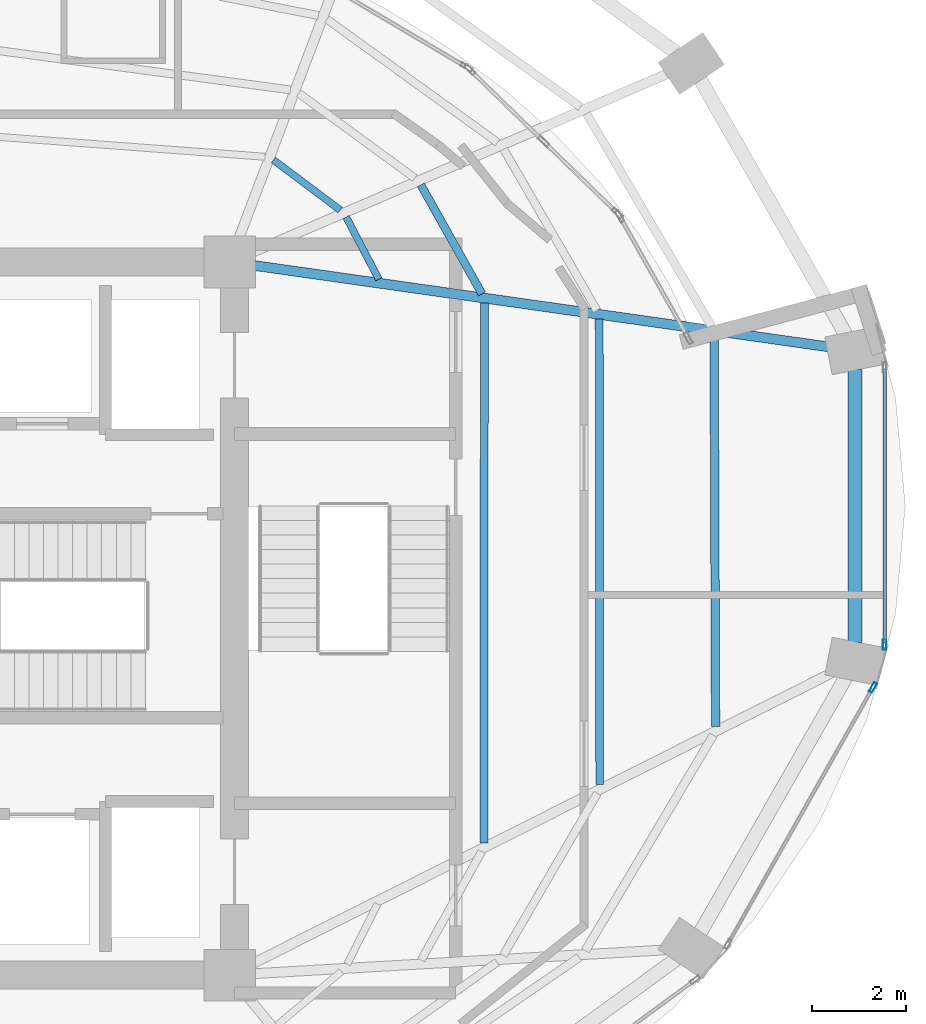
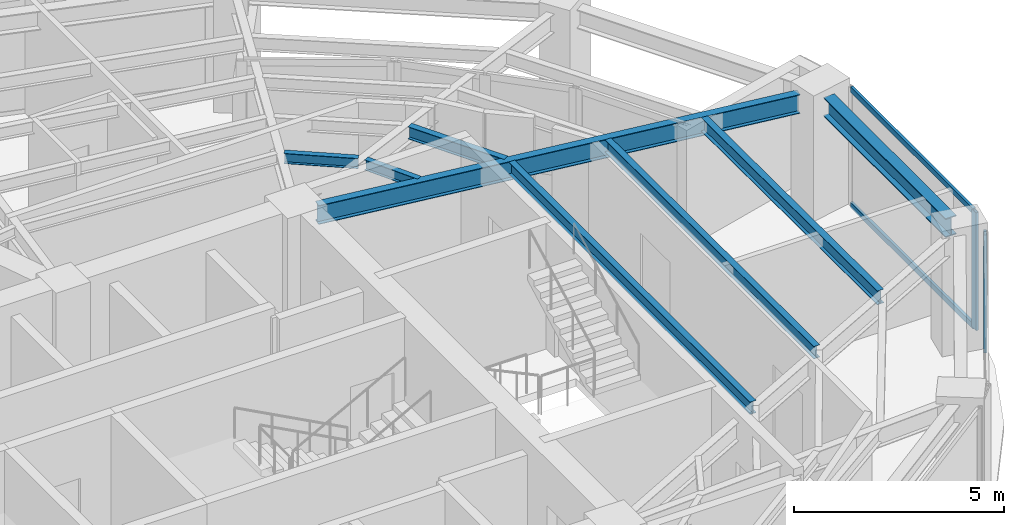
# One storey, part 10 of 19: 8 beams, 4 members, 2 elements without a shape of their own.
"""IFC4 building model written with IfcOpenShell, lengths in metres."""

from ifc_helpers import new_model, si_unit, direction, frame, origin, origin_2d, place, context, subcontext, project, spatial, hollow_rectangle, i_section, extrude, material, layer, layer_set, material_profile, profile_set, type_object, element, aggregate, save


model = new_model("IFC4")

# Units and contexts
model_context = context("Model", 3, precision=1e-05, world=origin(), true_north=direction((0.0, 1.0)))
body_context = subcontext(model_context, "Body", "Model", "MODEL_VIEW")
ifc_project = project(units=[si_unit("LENGTHUNIT", "METRE"), si_unit("AREAUNIT", "SQUARE_METRE"), si_unit("VOLUMEUNIT", "CUBIC_METRE"), si_unit("PLANEANGLEUNIT", "RADIAN"), si_unit("MASSUNIT", "GRAM", prefix="KILO")], contexts=[model_context])

# Site, building, storey
site_placement = place(None, origin())
site = spatial("IfcSite", under=ifc_project, at=site_placement, CompositionType="ELEMENT")
building_placement = place(site_placement, origin())
building = spatial("IfcBuilding", under=site, at=building_placement, Name="Lazwardi Medical Tower", CompositionType="ELEMENT")
storey_placement = place(building_placement, frame((0.0, 0.0, 171.1201171875)))
storey = spatial("IfcBuildingStorey", under=building, at=storey_placement, Name="L44", CompositionType="ELEMENT", Elevation=171.1201171875)

# Beams
ifc_material_1 = material(Name="Steel S355", Category="steel")
ifc_material_profile_1 = material_profile(ifc_material_1, i_section(OverallWidth=0.300048828125, OverallDepth=0.550048828125, WebThickness=0.014892578125, FlangeThickness=0.029052734375, at=origin_2d()), Name="HEB 550")
ifc_profile_set_1 = profile_set([ifc_material_profile_1], Name="Steel S355")
beam_type_1 = type_object("IfcBeamType", Name="BM-RB-Z3", PredefinedType="BEAM", material=ifc_profile_set_1)
beam_1_placement = place(storey_placement, frame((58.92578125, 27.48828125, 3.15283203125), z_axis=(0.0, 1.0, 0.0), x_axis=(-1.0, 0.0, 0.0)))
element("IfcBeam", 1, at=beam_1_placement, inside=storey, type_object=beam_type_1, Name="Ring beam RB-04 B04 L44", PredefinedType="BEAM", context=body_context, shape_type="SweptSolid", body=[
    extrude(i_section(OverallWidth=0.300048828125, OverallDepth=0.550048828125, WebThickness=0.014892578125, FlangeThickness=0.029052734375, at=origin_2d()), origin(), (0.0, 0.0, 1.0), 5.823486328125),
])
ifc_material_profile_2 = material_profile(ifc_material_1, i_section(OverallWidth=0.2099609375, OverallDepth=0.550048828125, WebThickness=0.010986328125, FlangeThickness=0.01708984375, at=origin_2d()), Name="IPE 550")
ifc_profile_set_2 = profile_set([ifc_material_profile_2], Name="Steel S355")
beam_type_2 = type_object("IfcBeamType", Name="BM-RG-W2", PredefinedType="BEAM", material=ifc_profile_set_2)
beam_2_placement = place(storey_placement, frame((58.371337890625, 33.790283203125, 3.15283203125), z_axis=(-0.99010958763, 0.140296131389, 0.0), x_axis=(-0.140296131389, -0.99010958763, 0.0)))
element("IfcBeam", 2, at=beam_2_placement, inside=storey, type_object=beam_type_2, Name="Radial girder RG-03 R05 L44", PredefinedType="BEAM", context=body_context, shape_type="SweptSolid", body=[
    extrude(i_section(OverallWidth=0.2099609375, OverallDepth=0.550048828125, WebThickness=0.010986328125, FlangeThickness=0.01708984375, at=origin_2d()), origin(), (0.0, 0.0, 1.0), 12.364013671875),
])
ifc_material_profile_3 = material_profile(ifc_material_1, i_section(OverallWidth=0.179931640625, OverallDepth=0.39990234375, WebThickness=0.008544921875, FlangeThickness=0.013427734375, at=origin_2d()), Name="IPE 400")
ifc_profile_set_3 = profile_set([ifc_material_profile_3], Name="Steel S355")
beam_type_3 = type_object("IfcBeamType", Name="BM-SJ-01", PredefinedType="JOIST", material=ifc_profile_set_3)
beam_3_placement = place(storey_placement, frame((55.95556640625, 25.69775390625, 3.227783203125), z_axis=(-0.003864366017, 0.99999253331, 0.0), x_axis=(-0.99999253331, -0.003864366017, 0.0)))
element("IfcBeam", 3, at=beam_3_placement, inside=storey, type_object=beam_type_3, Name="Secondary joist SJ-01 R1 B04 L44", PredefinedType="JOIST", context=body_context, shape_type="SweptSolid", body=[
    extrude(i_section(OverallWidth=0.179931640625, OverallDepth=0.39990234375, WebThickness=0.008544921875, FlangeThickness=0.013427734375, at=origin_2d()), origin(), (0.0, 0.0, 1.0), 8.33935546875),
])
ifc_material_profile_4 = material_profile(ifc_material_1, i_section(OverallWidth=0.169921875, OverallDepth=0.360107421875, WebThickness=0.008056640625, FlangeThickness=0.0126953125, at=origin_2d()), Name="IPE 360")
ifc_profile_set_4 = profile_set([ifc_material_profile_4], Name="Steel S355")
beam_type_4 = type_object("IfcBeamType", Name="BM-SJ-02", PredefinedType="JOIST", material=ifc_profile_set_4)
beam_4_placement = place(storey_placement, frame((53.486328125, 24.458251953125, 3.247802734375), z_axis=(-0.001156040156, 0.999999331785, 0.0), x_axis=(-0.999999331785, -0.001156040156, 0.0)))
element("IfcBeam", 4, at=beam_4_placement, inside=storey, type_object=beam_type_4, Name="Secondary joist SJ-02 R2 B04 L44", PredefinedType="JOIST", context=body_context, shape_type="SweptSolid", body=[
    extrude(i_section(OverallWidth=0.169921875, OverallDepth=0.360107421875, WebThickness=0.008056640625, FlangeThickness=0.0126953125, at=origin_2d()), origin(), (0.0, 0.0, 1.0), 9.92578125),
])
beam_5_placement = place(storey_placement, frame((51.01708984375, 23.21875, 3.247802734375), z_axis=(0.000805852776, 0.999999675301, 0.0), x_axis=(-0.999999675301, 0.000805852776, 0.0)))
element("IfcBeam", 5, at=beam_5_placement, inside=storey, type_object=beam_type_4, Name="Secondary joist SJ-02 R3 B04 L44", PredefinedType="JOIST", context=body_context, shape_type="SweptSolid", body=[
    extrude(i_section(OverallWidth=0.169921875, OverallDepth=0.360107421875, WebThickness=0.008056640625, FlangeThickness=0.0126953125, at=origin_2d()), origin(), (0.0, 0.0, 1.0), 11.512451171875),
])
beam_6_placement = place(storey_placement, frame((50.977294921875, 34.918212890625, 3.247802734375), z_axis=(-0.489408945026, 0.872054404569, 0.0), x_axis=(-0.872054404569, -0.489408945026, 0.0)))
element("IfcBeam", 6, at=beam_6_placement, inside=storey, type_object=beam_type_4, Name="Secondary joist SJ-02 R3 B05 L44", PredefinedType="JOIST", context=body_context, shape_type="SweptSolid", body=[
    extrude(i_section(OverallWidth=0.169921875, OverallDepth=0.360107421875, WebThickness=0.008056640625, FlangeThickness=0.0126953125, at=origin_2d()), origin(), (0.0, 0.0, 1.0), 2.666259765625),
])
ifc_material_profile_5 = material_profile(ifc_material_1, i_section(OverallWidth=0.14990234375, OverallDepth=0.300048828125, WebThickness=0.007080078125, FlangeThickness=0.0107421875, at=origin_2d()), Name="IPE 300")
ifc_profile_set_5 = profile_set([ifc_material_profile_5], Name="Steel S355")
beam_type_5 = type_object("IfcBeamType", Name="BM-SJ-03", PredefinedType="JOIST", material=ifc_profile_set_5)
beam_7_placement = place(storey_placement, frame((48.7763671875, 35.231689453125, 3.27783203125), z_axis=(-0.464469748171, 0.885588986513, 0.0), x_axis=(-0.885588986513, -0.464469748171, 0.0)))
element("IfcBeam", 7, at=beam_7_placement, inside=storey, type_object=beam_type_5, Name="Secondary joist SJ-03 R4 B05 L44", PredefinedType="JOIST", context=body_context, shape_type="SweptSolid", body=[
    extrude(i_section(OverallWidth=0.14990234375, OverallDepth=0.300048828125, WebThickness=0.007080078125, FlangeThickness=0.0107421875, at=origin_2d()), origin(), (0.0, 0.0, 1.0), 1.498046875),
])
beam_8_placement = place(storey_placement, frame((47.9541015625, 36.70703125, 3.27783203125), z_axis=(-0.799884834751, 0.600153522972, 0.0), x_axis=(-0.600153522972, -0.799884834751, 0.0)))
element("IfcBeam", 8, at=beam_8_placement, inside=storey, type_object=beam_type_5, Name="Secondary joist SJ-03 R4 B06 L44", PredefinedType="JOIST", context=body_context, shape_type="SweptSolid", body=[
    extrude(i_section(OverallWidth=0.14990234375, OverallDepth=0.300048828125, WebThickness=0.007080078125, FlangeThickness=0.0107421875, at=origin_2d()), origin(), (0.0, 0.0, 1.0), 1.781005859375),
])

# Curtain wall, member
ifc_material_2 = material(Name="Anodised bronze aluminium and solar control glazing", Category="aluminium")
ifc_layer = layer(ifc_material_2, 0.195068359375)
ifc_layer_set = layer_set([ifc_layer], Name="Anodised bronze aluminium and solar control glazing")
curtain_wall_type = type_object("IfcCurtainWallType", Name="CW-SYS-03", PredefinedType="NOTDEFINED", material=ifc_layer_set)
curtain_wall_1_placement = place(storey_placement, origin())
curtain_wall_1 = element("IfcCurtainWall", 9, at=curtain_wall_1_placement, inside=storey, type_object=curtain_wall_type, Name="L44 Unitised bronze curtain wall CW-03", PredefinedType="NOTDEFINED")
ifc_material_3 = material(Name="Anodised bronze aluminium", Category="aluminium")
ifc_material_profile_6 = material_profile(ifc_material_3, hollow_rectangle(XDim=0.074951171875, YDim=0.219970703125, WallThickness=0.00390625, at=origin_2d()), Name="ALU-MULLION 220x75x4")
ifc_profile_set_6 = profile_set([ifc_material_profile_6], Name="Anodised bronze aluminium")
member_type_1 = type_object("IfcMemberType", Name="CW-MUL-01", PredefinedType="MULLION", material=ifc_profile_set_6)
member_1_placement = place(storey_placement, frame((59.31103515625, 26.53271484375, 0.0), z_axis=(0.0, 0.0, 1.0), x_axis=(-0.870418989303, 0.492311672683, 0.0)))
member_1 = element("IfcMember", 10, at=member_1_placement, type_object=member_type_1, Name="CW-03 mullion 2", PredefinedType="MULLION", context=body_context, shape_type="SweptSolid", body=[
    extrude(hollow_rectangle(XDim=0.074951171875, YDim=0.219970703125, WallThickness=0.00390625, at=origin_2d()), origin(), (0.0, 0.0, 1.0), 3.427978515625),
])
aggregate(curtain_wall_1, [member_1])

# Curtain wall, members
curtain_wall_2_placement = place(storey_placement, origin())
curtain_wall_2 = element("IfcCurtainWall", 11, at=curtain_wall_2_placement, inside=storey, type_object=curtain_wall_type, Name="L44 Unitised bronze curtain wall CW-03", PredefinedType="NOTDEFINED")
member_2_placement = place(storey_placement, frame((59.5576171875, 27.442138671875, 0.0), z_axis=(0.0, 0.0, 1.0), x_axis=(-1.0, 0.0, 0.0)))
member_2 = element("IfcMember", 12, at=member_2_placement, type_object=member_type_1, Name="CW-03 mullion 1", PredefinedType="MULLION", context=body_context, shape_type="SweptSolid", body=[
    extrude(hollow_rectangle(XDim=0.074951171875, YDim=0.219970703125, WallThickness=0.00390625, at=origin_2d()), origin(), (0.0, 0.0, 1.0), 3.427978515625),
])
ifc_material_profile_7 = material_profile(ifc_material_3, hollow_rectangle(XDim=0.074951171875, YDim=0.159912109375, WallThickness=0.00390625, at=origin_2d()), Name="ALU-TRANSOM 160x75x4")
ifc_profile_set_7 = profile_set([ifc_material_profile_7], Name="Anodised bronze aluminium")
member_type_2 = type_object("IfcMemberType", Name="CW-TRN-01", PredefinedType="USERDEFINED", material=ifc_profile_set_7)
member_3_placement = place(storey_placement, frame((59.5576171875, 27.4794921875, 0.037353515625), z_axis=(0.0, 1.0, 0.0), x_axis=(-1.0, 0.0, 0.0)))
member_3 = element("IfcMember", 13, at=member_3_placement, type_object=member_type_2, Name="CW-03 transom 1.1", ObjectType="TRANSOM", PredefinedType="USERDEFINED", context=body_context, shape_type="SweptSolid", body=[
    extrude(hollow_rectangle(XDim=0.074951171875, YDim=0.159912109375, WallThickness=0.00390625, at=origin_2d()), origin(), (0.0, 0.0, 1.0), 5.8408203125),
])
member_4_placement = place(storey_placement, frame((59.5576171875, 27.4794921875, 3.390380859375), z_axis=(0.0, 1.0, 0.0), x_axis=(-1.0, 0.0, 0.0)))
member_4 = element("IfcMember", 14, at=member_4_placement, type_object=member_type_2, Name="CW-03 transom 1.2", ObjectType="TRANSOM", PredefinedType="USERDEFINED", context=body_context, shape_type="SweptSolid", body=[
    extrude(hollow_rectangle(XDim=0.074951171875, YDim=0.159912109375, WallThickness=0.00390625, at=origin_2d()), origin(), (0.0, 0.0, 1.0), 5.8408203125),
])
aggregate(curtain_wall_2, [member_2, member_3, member_4])

save(model, "model.ifc")
